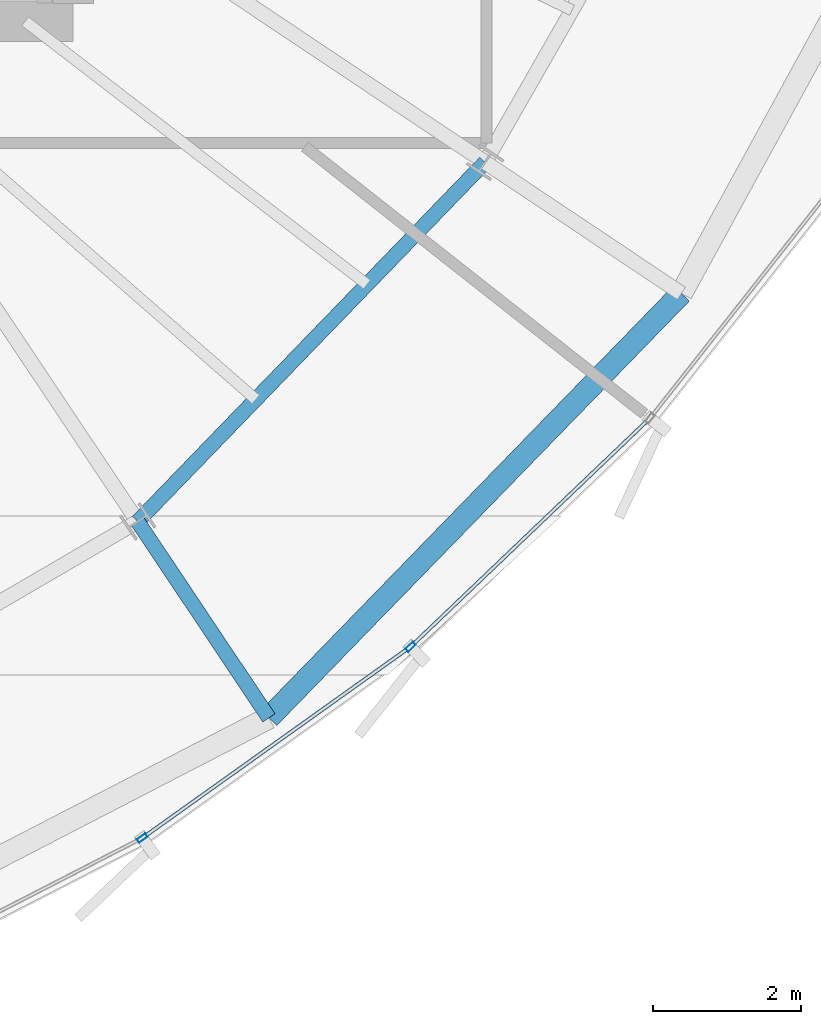
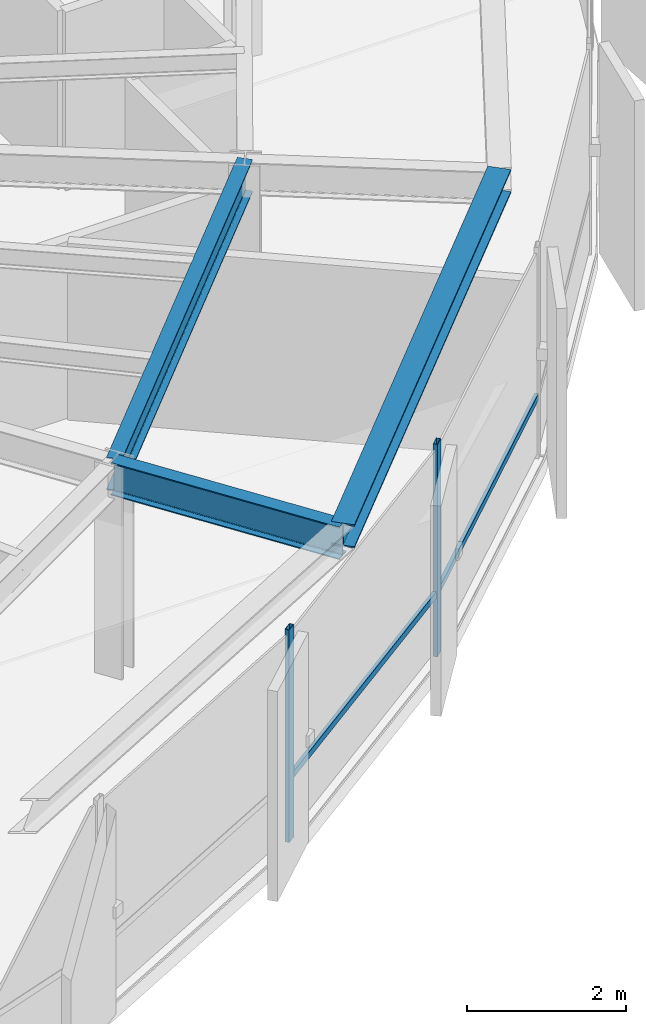
# One storey, part 13 of 35: 4 members, 3 beams, 1 element without a shape of its own.
"""IFC4 building model written with IfcOpenShell, lengths in metres."""

from ifc_helpers import new_model, si_unit, direction, frame, origin, origin_2d, place, context, subcontext, project, spatial, hollow_rectangle, i_section, extrude, source, transform, mapped, material, layer, layer_set, material_profile, profile_set, type_object, element, aggregate, save


model = new_model("IFC4")

# Units and contexts
model_context = context("Model", 3, precision=1e-05, world=origin(), true_north=direction((0.0, 1.0)))
body_context = subcontext(model_context, "Body", "Model", "MODEL_VIEW")
ifc_project = project(units=[si_unit("LENGTHUNIT", "METRE"), si_unit("AREAUNIT", "SQUARE_METRE"), si_unit("VOLUMEUNIT", "CUBIC_METRE"), si_unit("PLANEANGLEUNIT", "RADIAN"), si_unit("MASSUNIT", "GRAM", prefix="KILO"), si_unit("THERMODYNAMICTEMPERATUREUNIT", "KELVIN")], contexts=[model_context])

# Site, building, storey
site_placement = place(None, origin())
site = spatial("IfcSite", under=ifc_project, at=site_placement, CompositionType="ELEMENT")
building_placement = place(site_placement, origin())
building = spatial("IfcBuilding", under=site, at=building_placement, Name="Kethvar Cultural Tower", CompositionType="ELEMENT")
storey_placement = place(building_placement, frame((0.0, 0.0, 193.89990234375)))
storey = spatial("IfcBuildingStorey", under=building, at=storey_placement, Name="L50", CompositionType="ELEMENT", Elevation=193.89990234375)

# Beams
ifc_material_1 = material(Name="Steel S355J2", Category="steel")
ifc_material_profile_1 = material_profile(ifc_material_1, i_section(OverallWidth=0.199951171875, OverallDepth=0.5, WebThickness=0.01025390625, FlangeThickness=0.01611328125, FilletRadius=0.02099609375, at=origin_2d()), Name="Steel S355J2 — IPE500")
ifc_profile_set_1 = profile_set([ifc_material_profile_1], Name="Steel S355J2 — IPE500")
beam_type_1 = type_object("IfcBeamType", Name="BM-IPE500", PredefinedType="BEAM", material=ifc_profile_set_1)
shared_shape_1 = source(origin(), body_context, "Body", "SweptSolid", [
    extrude(i_section(OverallWidth=0.199951171875, OverallDepth=0.5, WebThickness=0.01025390625, FlangeThickness=0.01611328125, FilletRadius=0.02099609375, at=origin_2d()), origin(), (0.0, 0.0, 1.0), 3.199951171875),
])
beam_1_placement = place(storey_placement, frame((56.474609375, 13.32080078125, 3.008056640625), z_axis=(0.555580212716, -0.831462943996, 0.0), x_axis=(0.831462943996, 0.555580212716, 0.0)))
element("IfcBeam", 1, at=beam_1_placement, inside=storey, type_object=beam_type_1, Name="L50 Perimeter Cantilever Beam RC-14", PredefinedType="BEAM", context=body_context, shape_type="MappedRepresentation", body=[
    mapped(shared_shape_1, transform((0.0, 0.0, 0.0), scale=1.0)),
])
shared_shape_2 = source(origin(), body_context, "Body", "SweptSolid", [
    extrude(i_section(OverallWidth=0.199951171875, OverallDepth=0.5, WebThickness=0.01025390625, FlangeThickness=0.01611328125, FilletRadius=0.02099609375, at=origin_2d()), origin(), (0.0, 0.0, 1.0), 6.77294921875),
])
beam_2_placement = place(storey_placement, frame((56.474609375, 13.32080078125, 3.008056640625), z_axis=(0.695111533644, 0.718901909717, 0.0), x_axis=(-0.718901909717, 0.695111533644, 0.0)))
element("IfcBeam", 2, at=beam_2_placement, inside=storey, type_object=beam_type_1, Name="L50 Column Ring Tie Beam CR-14", PredefinedType="BEAM", context=body_context, shape_type="MappedRepresentation", body=[
    mapped(shared_shape_2, transform((0.0, 0.0, 0.0), scale=1.0)),
])
ifc_material_profile_2 = material_profile(ifc_material_1, i_section(OverallWidth=0.300048828125, OverallDepth=0.360107421875, WebThickness=0.012451171875, FlangeThickness=0.0224609375, FilletRadius=0.027099609375, at=origin_2d()), Name="Steel S355J2 — HEB360")
ifc_profile_set_2 = profile_set([ifc_material_profile_2], Name="Steel S355J2 — HEB360")
beam_type_2 = type_object("IfcBeamType", Name="BM-SP360", PredefinedType="SPANDREL", material=ifc_profile_set_2)
shared_shape_3 = source(origin(), body_context, "Body", "SweptSolid", [
    extrude(i_section(OverallWidth=0.300048828125, OverallDepth=0.360107421875, WebThickness=0.012451171875, FlangeThickness=0.0224609375, FilletRadius=0.027099609375, at=origin_2d()), origin(), (0.0, 0.0, 1.0), 8.021240234375),
])
beam_3_placement = place(storey_placement, frame((58.25244140625, 10.66015625, 3.078125), z_axis=(0.696991461782, 0.71707942531, 0.0), x_axis=(-0.71707942531, 0.696991461782, 0.0)))
element("IfcBeam", 3, at=beam_3_placement, inside=storey, type_object=beam_type_2, Name="L50 Perimeter Spandrel Beam SP-14", PredefinedType="SPANDREL", context=body_context, shape_type="MappedRepresentation", body=[
    mapped(shared_shape_3, transform((0.0, 0.0, 0.0), scale=1.0)),
])

# Curtain wall, members
ifc_material_2 = material(Name="Aluminium 6063-T6", Category="aluminium")
ifc_layer = layer(ifc_material_2, 0.179931640625, Name="Aluminium 6063-T6", Category="aluminium")
ifc_layer_set = layer_set([ifc_layer], Name="Aluminium 6063-T6 (180 mm)")
curtain_wall_type = type_object("IfcCurtainWallType", Name="CW-SYS-04-Z34", PredefinedType="NOTDEFINED", material=ifc_layer_set)
curtain_wall_placement = place(storey_placement, origin())
curtain_wall = element("IfcCurtainWall", 4, at=curtain_wall_placement, inside=storey, type_object=curtain_wall_type, Name="L50 Curtain Wall Run 05", PredefinedType="NOTDEFINED")
ifc_material_profile_3 = material_profile(ifc_material_2, hollow_rectangle(XDim=0.06005859375, YDim=0.139892578125, WallThickness=0.0048828125, at=origin_2d()), Name="Aluminium 6063-T6 — RHS140x60x5")
ifc_profile_set_3 = profile_set([ifc_material_profile_3], Name="Aluminium 6063-T6 — RHS140x60x5")
member_type_1 = type_object("IfcMemberType", Name="CW-SYS-04-Z34-MUL", PredefinedType="MULLION", material=ifc_profile_set_3)
shared_shape_4 = source(origin(), body_context, "Body", "SweptSolid", [
    extrude(hollow_rectangle(XDim=0.06005859375, YDim=0.139892578125, WallThickness=0.0048828125, at=origin_2d()), origin(), (0.0, 0.0, 1.0), 3.260009765625),
])
member_1_placement = place(storey_placement, frame((56.537109375, 9.031005859375, 0.0), z_axis=(0.0, 0.0, 1.0), x_axis=(-0.580660327926, 0.814145922776, 0.0)))
member_1 = element("IfcMember", 5, at=member_1_placement, type_object=member_type_1, Name="CW-L50-R05 Mullion 3", PredefinedType="MULLION", context=body_context, shape_type="MappedRepresentation", body=[
    mapped(shared_shape_4, transform((0.0, 0.0, 0.0), scale=1.0)),
])
member_2_placement = place(storey_placement, frame((60.1728515625, 11.62255859375, 0.0), z_axis=(0.0, 0.0, 1.0), x_axis=(-0.690693115047, 0.723147993724, 0.0)))
member_2 = element("IfcMember", 6, at=member_2_placement, type_object=member_type_1, Name="CW-L50-R05 Mullion 4", PredefinedType="MULLION", context=body_context, shape_type="MappedRepresentation", body=[
    mapped(shared_shape_4, transform((0.0, 0.0, 0.0), scale=1.0)),
])
ifc_material_profile_4 = material_profile(ifc_material_2, hollow_rectangle(XDim=0.050048828125, YDim=0.10009765625, WallThickness=0.00390625, at=origin_2d()), Name="Aluminium 6063-T6 — RHS100x50x4")
ifc_profile_set_4 = profile_set([ifc_material_profile_4], Name="Aluminium 6063-T6 — RHS100x50x4")
member_type_2 = type_object("IfcMemberType", Name="CW-SYS-04-Z34-TRN", PredefinedType="USERDEFINED", material=ifc_profile_set_4)
shared_shape_5 = source(origin(), body_context, "Body", "SweptSolid", [
    extrude(hollow_rectangle(XDim=0.050048828125, YDim=0.10009765625, WallThickness=0.00390625, at=origin_2d()), origin(), (0.0, 0.0, 1.0), 4.414306640625),
])
member_3_placement = place(storey_placement, frame((60.2041015625, 11.652587890625, 0.9501953125), z_axis=(0.723179737677, 0.690659877953, 0.0), x_axis=(-0.690659877953, 0.723179737677, 0.0)))
member_3 = element("IfcMember", 7, at=member_3_placement, type_object=member_type_2, Name="CW-L50-R05 Transom 4", ObjectType="TRANSOM", PredefinedType="USERDEFINED", context=body_context, shape_type="MappedRepresentation", body=[
    mapped(shared_shape_5, transform((0.0, 0.0, 0.0), scale=1.0)),
])
shared_shape_6 = source(origin(), body_context, "Body", "SweptSolid", [
    extrude(hollow_rectangle(XDim=0.050048828125, YDim=0.10009765625, WallThickness=0.00390625, at=origin_2d()), origin(), (0.0, 0.0, 1.0), 4.39453125),
])
member_4_placement = place(storey_placement, frame((56.572265625, 9.055908203125, 0.9501953125), z_axis=(0.814131188236, 0.580680986723, 0.0), x_axis=(-0.580680986723, 0.814131188236, 0.0)))
member_4 = element("IfcMember", 8, at=member_4_placement, type_object=member_type_2, Name="CW-L50-R05 Transom 3", ObjectType="TRANSOM", PredefinedType="USERDEFINED", context=body_context, shape_type="MappedRepresentation", body=[
    mapped(shared_shape_6, transform((0.0, 0.0, 0.0), scale=1.0)),
])
aggregate(curtain_wall, [member_1, member_2, member_4, member_3])

save(model, "model.ifc")
